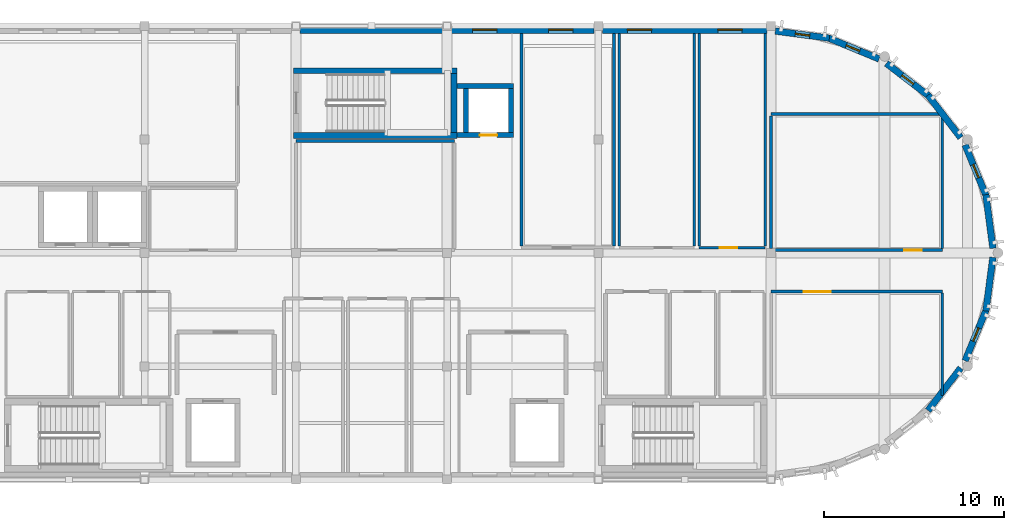
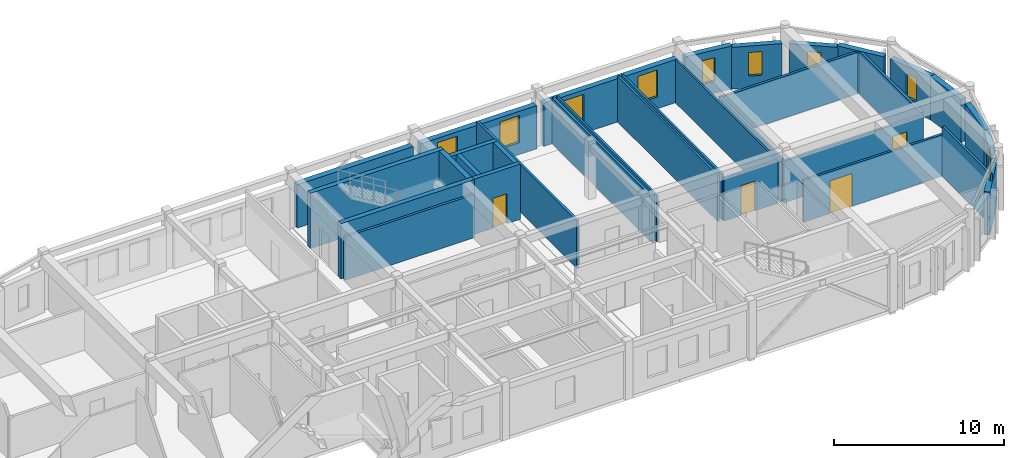
# One storey, part 6 of 11: 33 walls, 9 windows, 4 doors, 13 openings.
"""IFC4 building model written with IfcOpenShell, lengths in metres."""

from ifc_helpers import new_model, si_unit, direction, frame, frame_2d, origin, place, context, subcontext, project, spatial, rectangle, extrude, material, layer, layer_set, type_object, element, fill, save


model = new_model("IFC4")

# Units and contexts
model_context = context("Model", 3, precision=1e-05, world=origin(), true_north=direction((0.0, 1.0)))
body_context = subcontext(model_context, "Body", "Model", "MODEL_VIEW")
ifc_project = project(units=[si_unit("LENGTHUNIT", "METRE"), si_unit("AREAUNIT", "SQUARE_METRE"), si_unit("VOLUMEUNIT", "CUBIC_METRE"), si_unit("PLANEANGLEUNIT", "RADIAN"), si_unit("MASSUNIT", "GRAM", prefix="KILO")], contexts=[model_context])

# Site, building, storey
site_placement = place(None, origin())
site = spatial("IfcSite", under=ifc_project, at=site_placement, CompositionType="ELEMENT")
building_placement = place(site_placement, origin())
building = spatial("IfcBuilding", under=site, at=building_placement, Name="Tarnavel Promenade Courthouse", CompositionType="ELEMENT")
storey_placement = place(building_placement, frame((0.0, 0.0, 31.199951171875)))
storey = spatial("IfcBuildingStorey", under=building, at=storey_placement, Name="L08", CompositionType="ELEMENT", Elevation=31.199951171875)

# Walls
ifc_material_1 = material(Name="Acoustic Insulated Gypsum Stud Partition", Category="gypsum")
ifc_layer_1 = layer(ifc_material_1, 0.1650390625)
ifc_layer_set_1 = layer_set([ifc_layer_1], Name="Acoustic Insulated Gypsum Stud Partition")
wall_type_1 = type_object("IfcWallType", Name="Acoustic Insulated Gypsum Stud Partition WL-CHM-165 (165 mm)", PredefinedType="PARTITIONING", material=ifc_layer_set_1)
wall_1_placement = place(storey_placement, frame((75.60009765625, 98.0, 0.0), z_axis=(0.0, 0.0, 1.0), x_axis=(1.0, 0.0, 0.0)))
element("IfcWall", 1, at=wall_1_placement, inside=storey, type_object=wall_type_1, Name="L08 L08 Judicial Panel Deliberation Salon Partition 0951", PredefinedType="PARTITIONING", context=body_context, shape_type="SweptSolid", body=[
    extrude(rectangle(XDim=8.7998046875, YDim=0.1650390625, at=frame_2d((4.39990234375, 0.0))), origin(), (0.0, 0.0, 1.0), 3.110107421875),
])
wall_2_placement = place(storey_placement, frame((88.139892578125, 92.1826171875, 0.0), z_axis=(0.0, 0.0, 1.0), x_axis=(0.0, 1.0, 0.0)))
element("IfcWall", 2, at=wall_2_placement, inside=storey, type_object=wall_type_1, Name="L08 Deputy Chief Justice's Chambers Partition 0956", PredefinedType="PARTITIONING", context=body_context, shape_type="SweptSolid", body=[
    extrude(rectangle(XDim=11.8134765625, YDim=0.1650390625, at=frame_2d((5.90673828125, 0.0))), origin(), (0.0, 0.0, 1.0), 3.41015625),
])
wall_3_placement = place(storey_placement, frame((93.281005859375, 103.99609375, 0.0), z_axis=(0.0, 0.0, 1.0), x_axis=(0.0, -1.0, 0.0)))
element("IfcWall", 3, at=wall_3_placement, inside=storey, type_object=wall_type_1, Name="L08 Deputy Chief Justice's Chambers Partition 0957", PredefinedType="PARTITIONING", context=body_context, shape_type="SweptSolid", body=[
    extrude(rectangle(XDim=11.8134765625, YDim=0.1650390625, at=frame_2d((5.90673828125, 0.0))), origin(), (0.0, 0.0, 1.0), 3.31005859375),
])
wall_4_placement = place(storey_placement, frame((102.0, 99.5, 0.0), z_axis=(0.0, 0.0, 1.0), x_axis=(1.0, 0.0, 0.0)))
element("IfcWall", 4, at=wall_4_placement, inside=storey, type_object=wall_type_1, Name="L08 L08 East Drum Rotunda Chambers North Partition 0981", PredefinedType="PARTITIONING", context=body_context, shape_type="SweptSolid", body=[
    extrude(rectangle(XDim=9.5, YDim=0.1650390625, at=frame_2d((4.75, 0.0))), origin(), (0.0, 0.0, 1.0), 3.010009765625),
])

# Wall, opening, door
wall_5_placement = place(storey_placement, frame((111.5, 91.949951171875, 0.0), z_axis=(0.0, 0.0, 1.0), x_axis=(-1.0, 0.0, 0.0)))
wall_5 = element("IfcWall", 5, at=wall_5_placement, inside=storey, type_object=wall_type_1, Name="L08 L08 East Drum Rotunda Chambers North Partition 0982", PredefinedType="PARTITIONING", context=body_context, shape_type="SweptSolid", body=[
    extrude(rectangle(XDim=9.5, YDim=0.1650390625, at=frame_2d((4.75, 0.0))), origin(), (0.0, 0.0, 1.0), 3.010009765625),
])
opening_1_placement = place(wall_5_placement, frame((1.132080078125, 0.0, 0.0)))
opening_1 = element("IfcOpeningElement", 6, at=opening_1_placement, cuts=wall_5, Name="Opening ID-04", PredefinedType="OPENING", context=body_context, shape_type="SweptSolid", body=[
    extrude(rectangle(XDim=0.97998046875, YDim=2.199951171875, at=frame_2d((0.489990234375, 1.10009765625))), frame((0.0, 0.092529296875, 0.0), z_axis=(0.0, -1.0, 0.0), x_axis=(1.0, 0.0, 0.0)), (0.0, 0.0, 1.0), 0.18505859375),
])
ifc_material_2 = material(Name="Solid Oak Judges Chambers Door")
door_type_1 = type_object("IfcDoorType", Name="Solid Oak Judges Chambers Door (DR-CHM-0980x2200)", OperationType="NOTDEFINED", PredefinedType="DOOR", material=ifc_material_2)
door_1_placement = place(opening_1_placement, origin())
door_1 = element("IfcDoor", 7, at=door_1_placement, inside=storey, type_object=door_type_1, Name="L08 L08 East Drum Rotunda Chambers North Door 0280", OperationType="SINGLE_SWING_RIGHT", OverallHeight=2.199951171875, OverallWidth=0.97998046875, PredefinedType="DOOR", context=body_context, shape_type="SweptSolid", body=[
    extrude(rectangle(XDim=0.97998046875, YDim=2.199951171875, at=frame_2d((0.489990234375, 1.10009765625))), frame((0.0, 0.02490234375, 0.0), z_axis=(0.0, -1.0, 0.0), x_axis=(1.0, 0.0, 0.0)), (0.0, 0.0, 1.0), 0.050048828125),
])
fill(opening_1, door_1)

# Walls
for number, where, z_axis, x_axis, name in (
    (8, (102.0, 92.04248046875, 0.0), (0.0, 0.0, 1.0), (0.0, 1.0, 0.0), "L08 L08 East Drum Rotunda Chambers North Partition 0983"),
    (9, (111.5, 99.407470703125, 0.0), (0.0, 0.0, 1.0), (0.0, -1.0, 0.0), "L08 L08 East Drum Rotunda Chambers North Partition 0984"),
):
    element("IfcWall", number, at=place(storey_placement, frame(where, z_axis=z_axis, x_axis=x_axis)), inside=storey, type_object=wall_type_1, Name=name, PredefinedType="PARTITIONING", context=body_context, shape_type="SweptSolid", body=[
        extrude(rectangle(XDim=7.364990234375, YDim=0.1650390625, at=frame_2d((3.6826171875, 0.0))), origin(), (0.0, 0.0, 1.0), 3.110107421875),
    ])

# Wall, opening, door
ifc_layer_2 = layer(ifc_material_1, 0.14990234375)
ifc_layer_set_2 = layer_set([ifc_layer_2], Name="Acoustic Insulated Gypsum Stud Partition")
wall_type_2 = type_object("IfcWallType", Name="Acoustic Insulated Gypsum Stud Partition WL-LIB-150 (150 mm)", PredefinedType="PARTITIONING", material=ifc_layer_set_2)
wall_6_placement = place(storey_placement, frame((102.0, 89.64990234375, 0.0), z_axis=(0.0, 0.0, 1.0), x_axis=(1.0, 0.0, 0.0)))
wall_6 = element("IfcWall", 10, at=wall_6_placement, inside=storey, type_object=wall_type_2, Name="L08 L08 East Drum Collegium Reference Room Partition 0985", PredefinedType="PARTITIONING", context=body_context, shape_type="SweptSolid", body=[
    extrude(rectangle(XDim=9.5, YDim=0.14990234375, at=frame_2d((4.75, 0.0))), origin(), (0.0, 0.0, 1.0), 3.010009765625),
])
opening_2_placement = place(wall_6_placement, frame((1.81005859375, 0.0, 0.0)))
opening_2 = element("IfcOpeningElement", 11, at=opening_2_placement, cuts=wall_6, Name="Opening ID-05", PredefinedType="OPENING", context=body_context, shape_type="SweptSolid", body=[
    extrude(rectangle(XDim=1.5, YDim=2.35009765625, at=frame_2d((0.75, 1.175048828125))), frame((0.0, 0.0849609375, 0.0), z_axis=(0.0, -1.0, 0.0), x_axis=(1.0, 0.0, 0.0)), (0.0, 0.0, 1.0), 0.169921875),
])
ifc_material_3 = material(Name="Glazed Oak Law Library Double Door")
door_type_2 = type_object("IfcDoorType", Name="Glazed Oak Law Library Double Door (DR-LIB-1500x2350)", OperationType="NOTDEFINED", PredefinedType="DOOR", material=ifc_material_3)
door_2_placement = place(opening_2_placement, origin())
door_2 = element("IfcDoor", 12, at=door_2_placement, inside=storey, type_object=door_type_2, Name="L08 L08 East Drum Collegium Reference Room Door 0281", OperationType="DOUBLE_DOOR_SINGLE_SWING", OverallHeight=2.35009765625, OverallWidth=1.5, PredefinedType="DOOR", context=body_context, shape_type="SweptSolid", body=[
    extrude(rectangle(XDim=1.5, YDim=2.35009765625, at=frame_2d((0.75, 1.175048828125))), frame((0.0, 0.02490234375, 0.0), z_axis=(0.0, -1.0, 0.0), x_axis=(1.0, 0.0, 0.0)), (0.0, 0.0, 1.0), 0.050048828125),
])
fill(opening_2, door_2)

# Walls
wall_7_placement = place(storey_placement, frame((111.5, 89.56494140625, 0.0), z_axis=(0.0, 0.0, 1.0), x_axis=(0.0, -1.0, 0.0)))
element("IfcWall", 13, at=wall_7_placement, inside=storey, type_object=wall_type_2, Name="L08 L08 East Drum Collegium Reference Room Partition 0988", PredefinedType="PARTITIONING", context=body_context, shape_type="SweptSolid", body=[
    extrude(rectangle(XDim=5.679931640625, YDim=0.14990234375, at=frame_2d((2.83984375, 0.0))), origin(), (0.0, 0.0, 1.0), 3.610107421875),
])
ifc_material_4 = material(Name="Concrete C40/50", Category="concrete")
ifc_layer_3 = layer(ifc_material_4, 0.280029296875)
ifc_layer_set_3 = layer_set([ifc_layer_3], Name="Concrete C40/50")
wall_type_3 = type_object("IfcWallType", Name="Concrete C40/50 WL-SHR-280 (280 mm)", PredefinedType="SHEAR", material=ifc_layer_set_3)
wall_8_placement = place(storey_placement, frame((84.5400390625, 101.06005859375, 0.0), z_axis=(0.0, 0.0, 1.0), x_axis=(1.0, 0.0, 0.0)))
element("IfcWall", 14, at=wall_8_placement, inside=storey, type_object=wall_type_3, Name="L08 L-JUD1 Lift Shaft North Wall", PredefinedType="SHEAR", context=body_context, shape_type="SweptSolid", body=[
    extrude(rectangle(XDim=3.159912109375, YDim=0.280029296875, at=frame_2d((1.580078125, 0.0))), origin(), (0.0, 0.0, 1.0), 3.97998046875),
])

# Wall, opening, door
wall_9_placement = place(storey_placement, frame((87.699951171875, 98.340087890625, 0.0), z_axis=(0.0, 0.0, 1.0), x_axis=(-1.0, 0.0, 0.0)))
wall_9 = element("IfcWall", 15, at=wall_9_placement, inside=storey, type_object=wall_type_3, Name="L08 L-JUD1 Lift Shaft South Wall", PredefinedType="SHEAR", context=body_context, shape_type="SweptSolid", body=[
    extrude(rectangle(XDim=3.159912109375, YDim=0.280029296875, at=frame_2d((1.580078125, 0.0))), origin(), (0.0, 0.0, 1.0), 3.97998046875),
])
opening_3_placement = place(wall_9_placement, frame((0.925048828125, 0.0, 0.0)))
opening_3 = element("IfcOpeningElement", 16, at=opening_3_placement, cuts=wall_9, Name="Opening LD-03", PredefinedType="OPENING", context=body_context, shape_type="SweptSolid", body=[
    extrude(rectangle(XDim=0.949951171875, YDim=2.14990234375, at=frame_2d((0.47509765625, 1.074951171875))), frame((0.0, 0.14990234375, 0.0), z_axis=(0.0, -1.0, 0.0), x_axis=(1.0, 0.0, 0.0)), (0.0, 0.0, 1.0), 0.300048828125),
])
ifc_material_5 = material(Name="Stainless Steel Judicial Lift Landing Sliding Door", Category="steel")
door_type_3 = type_object("IfcDoorType", Name="Stainless Steel Judicial Lift Landing Sliding Door (LD-JUD-0950x2150)", OperationType="NOTDEFINED", PredefinedType="DOOR", material=ifc_material_5)
door_3_placement = place(opening_3_placement, origin())
door_3 = element("IfcDoor", 17, at=door_3_placement, inside=storey, type_object=door_type_3, Name="L08 L-JUD1 Lift Sliding Landing Door", OperationType="DOUBLE_DOOR_SLIDING", OverallHeight=2.14990234375, OverallWidth=0.949951171875, PredefinedType="DOOR", context=body_context, shape_type="SweptSolid", body=[
    extrude(rectangle(XDim=0.949951171875, YDim=2.14990234375, at=frame_2d((0.47509765625, 1.074951171875))), frame((0.0, 0.02490234375, 0.0), z_axis=(0.0, -1.0, 0.0), x_axis=(1.0, 0.0, 0.0)), (0.0, 0.0, 1.0), 0.050048828125),
])
fill(opening_3, door_3)

# Walls
for number, where, z_axis, x_axis, name in (
    (18, (85.0400390625, 98.47998046875, 0.0), (0.0, 0.0, 1.0), (0.0, 1.0, 0.0), "L08 L-JUD1 Lift Shaft West Wall"),
    (19, (87.56005859375, 100.919921875, 0.0), (0.0, 0.0, 1.0), (0.0, -1.0, 0.0), "L08 L-JUD1 Lift Shaft East Wall"),
):
    element("IfcWall", number, at=place(storey_placement, frame(where, z_axis=z_axis, x_axis=x_axis)), inside=storey, type_object=wall_type_3, Name=name, PredefinedType="SHEAR", context=body_context, shape_type="SweptSolid", body=[
        extrude(rectangle(XDim=2.43994140625, YDim=0.280029296875, at=frame_2d((1.219970703125, 0.0))), origin(), (0.0, 0.0, 1.0), 3.97998046875),
    ])
ifc_layer_4 = layer(ifc_material_4, 0.320068359375)
ifc_layer_set_4 = layer_set([ifc_layer_4], Name="Concrete C40/50")
wall_type_4 = type_object("IfcWallType", Name="Concrete C40/50 WL-SHR-320 (320 mm)", PredefinedType="SHEAR", material=ifc_layer_set_4)
for number, where, z_axis, x_axis, name in (
    (20, (75.4599609375, 101.919921875, 0.0), (0.0, 0.0, 1.0), (1.0, 0.0, 0.0), "L08 ST-03 Shear Core North Wall"),
    (21, (84.5400390625, 98.320068359375, 0.0), (0.0, 0.0, 1.0), (-1.0, 0.0, 0.0), "L08 ST-03 Shear Core South Wall"),
):
    element("IfcWall", number, at=place(storey_placement, frame(where, z_axis=z_axis, x_axis=x_axis)), inside=storey, type_object=wall_type_4, Name=name, PredefinedType="SHEAR", context=body_context, shape_type="SweptSolid", body=[
        extrude(rectangle(XDim=9.080078125, YDim=0.320068359375, at=frame_2d((4.5400390625, 0.0))), origin(), (0.0, 0.0, 1.0), 3.97998046875),
    ])
wall_10_placement = place(storey_placement, frame((84.3798828125, 101.760009765625, 0.0), z_axis=(0.0, 0.0, 1.0), x_axis=(0.0, -1.0, 0.0)))
element("IfcWall", 22, at=wall_10_placement, inside=storey, type_object=wall_type_4, Name="L08 ST-03 Shear Core East Wall", PredefinedType="SHEAR", context=body_context, shape_type="SweptSolid", body=[
    extrude(rectangle(XDim=3.280029296875, YDim=0.320068359375, at=frame_2d((1.64013671875, 0.0))), origin(), (0.0, 0.0, 1.0), 3.97998046875),
])
ifc_material_6 = material(Name="Cream Brick Insulated Cavity Facade Assembly", Category="masonry")
ifc_layer_5 = layer(ifc_material_6, 0.3798828125)
ifc_layer_set_5 = layer_set([ifc_layer_5], Name="Cream Brick Insulated Cavity Facade Assembly")
wall_type_5 = type_object("IfcWallType", Name="Cream Brick Insulated Cavity Facade Assembly WL-EXT-380 (380 mm)", PredefinedType="STANDARD", material=ifc_layer_set_5)
wall_11_placement = place(storey_placement, frame((75.842041015625, 104.179931640625, 0.0), z_axis=(0.0, 0.0, 1.0), x_axis=(1.0, 0.0, 0.0)))
element("IfcWall", 23, at=wall_11_placement, inside=storey, type_object=wall_type_5, Name="L08 Bar North Limestone Facade 0206", PredefinedType="STANDARD", context=body_context, shape_type="SweptSolid", body=[
    extrude(rectangle(XDim=7.916015625, YDim=0.3798828125, at=frame_2d((3.9580078125, 0.0))), origin(), (0.0, 0.0, 1.0), 3.110107421875),
])

# Wall, openings, windows
wall_12_placement = place(storey_placement, frame((84.241943359375, 104.179931640625, 0.0), z_axis=(0.0, 0.0, 1.0), x_axis=(1.0, 0.0, 0.0)))
wall_12 = element("IfcWall", 24, at=wall_12_placement, inside=storey, type_object=wall_type_5, Name="L08 Bar North Limestone Facade 0207", PredefinedType="STANDARD", context=body_context, shape_type="SweptSolid", body=[
    extrude(rectangle(XDim=7.916015625, YDim=0.3798828125, at=frame_2d((3.9580078125, 0.0))), origin(), (0.0, 0.0, 1.0), 3.110107421875),
])
opening_4_placement = place(wall_12_placement, frame((1.169677734375, 0.0, 0.85009765625)))
opening_4 = element("IfcOpeningElement", 25, at=opening_4_placement, cuts=wall_12, Name="Opening W-04", PredefinedType="OPENING", context=body_context, shape_type="SweptSolid", body=[
    extrude(rectangle(XDim=1.35009765625, YDim=1.949951171875, at=frame_2d((0.675048828125, 0.97509765625))), frame((0.0, 0.199951171875, 0.0), z_axis=(0.0, -1.0, 0.0), x_axis=(1.0, 0.0, 0.0)), (0.0, 0.0, 1.0), 0.39990234375),
])
opening_5_placement = place(wall_12_placement, frame((5.396240234375, 0.0, 0.85009765625)))
opening_5 = element("IfcOpeningElement", 26, at=opening_5_placement, cuts=wall_12, Name="Opening W-04", PredefinedType="OPENING", context=body_context, shape_type="SweptSolid", body=[
    extrude(rectangle(XDim=1.35009765625, YDim=1.949951171875, at=frame_2d((0.675048828125, 0.97509765625))), frame((0.0, 0.199951171875, 0.0), z_axis=(0.0, -1.0, 0.0), x_axis=(1.0, 0.0, 0.0)), (0.0, 0.0, 1.0), 0.39990234375),
])
ifc_material_7 = material(Name="Triple Low-E Glazed Bronze-Clad Window Assembly")
window_type_1 = type_object("IfcWindowType", Name="Triple-Glazed Bronze-Clad Timber-Aluminium WIN-CHM-1350x1950", PartitioningType="SINGLE_PANEL", PredefinedType="WINDOW", material=ifc_material_7)
window_1_placement = place(opening_4_placement, origin())
window_1 = element("IfcWindow", 27, at=window_1_placement, inside=storey, type_object=window_type_1, Name="L08 Exterior Window 0172", OverallHeight=1.949951171875, OverallWidth=1.35009765625, PartitioningType="SINGLE_PANEL", PredefinedType="WINDOW", context=body_context, shape_type="SweptSolid", body=[
    extrude(rectangle(XDim=1.35009765625, YDim=1.949951171875, at=frame_2d((0.675048828125, 0.97509765625))), frame((0.0, 0.030029296875, 0.0), z_axis=(0.0, -1.0, 0.0), x_axis=(1.0, 0.0, 0.0)), (0.0, 0.0, 1.0), 0.06005859375),
])
fill(opening_4, window_1)
window_2_placement = place(opening_5_placement, origin())
window_2 = element("IfcWindow", 28, at=window_2_placement, inside=storey, type_object=window_type_1, Name="L08 Exterior Window 0173", OverallHeight=1.949951171875, OverallWidth=1.35009765625, PartitioningType="SINGLE_PANEL", PredefinedType="WINDOW", context=body_context, shape_type="SweptSolid", body=[
    extrude(rectangle(XDim=1.35009765625, YDim=1.949951171875, at=frame_2d((0.675048828125, 0.97509765625))), frame((0.0, 0.030029296875, 0.0), z_axis=(0.0, -1.0, 0.0), x_axis=(1.0, 0.0, 0.0)), (0.0, 0.0, 1.0), 0.06005859375),
])
fill(opening_5, window_2)

wall_13_placement = place(storey_placement, frame((92.64208984375, 104.179931640625, 0.0), z_axis=(0.0, 0.0, 1.0), x_axis=(1.0, 0.0, 0.0)))
wall_13 = element("IfcWall", 29, at=wall_13_placement, inside=storey, type_object=wall_type_5, Name="L08 Bar North Limestone Facade 0208", PredefinedType="STANDARD", context=body_context, shape_type="SweptSolid", body=[
    extrude(rectangle(XDim=9.115966796875, YDim=0.3798828125, at=frame_2d((4.55810546875, 0.0))), origin(), (0.0, 0.0, 1.0), 3.110107421875),
])
opening_6_placement = place(wall_13_placement, frame((1.36962890625, 0.0, 0.85009765625)))
opening_6 = element("IfcOpeningElement", 30, at=opening_6_placement, cuts=wall_13, Name="Opening W-04", PredefinedType="OPENING", context=body_context, shape_type="SweptSolid", body=[
    extrude(rectangle(XDim=1.35009765625, YDim=1.949951171875, at=frame_2d((0.675048828125, 0.97509765625))), frame((0.0, 0.199951171875, 0.0), z_axis=(0.0, -1.0, 0.0), x_axis=(1.0, 0.0, 0.0)), (0.0, 0.0, 1.0), 0.39990234375),
])
opening_7_placement = place(wall_13_placement, frame((6.396240234375, 0.0, 0.85009765625)))
opening_7 = element("IfcOpeningElement", 31, at=opening_7_placement, cuts=wall_13, Name="Opening W-04", PredefinedType="OPENING", context=body_context, shape_type="SweptSolid", body=[
    extrude(rectangle(XDim=1.35009765625, YDim=1.949951171875, at=frame_2d((0.675048828125, 0.97509765625))), frame((0.0, 0.199951171875, 0.0), z_axis=(0.0, -1.0, 0.0), x_axis=(1.0, 0.0, 0.0)), (0.0, 0.0, 1.0), 0.39990234375),
])
window_3_placement = place(opening_6_placement, origin())
window_3 = element("IfcWindow", 32, at=window_3_placement, inside=storey, type_object=window_type_1, Name="L08 Exterior Window 0174", OverallHeight=1.949951171875, OverallWidth=1.35009765625, PartitioningType="SINGLE_PANEL", PredefinedType="WINDOW", context=body_context, shape_type="SweptSolid", body=[
    extrude(rectangle(XDim=1.35009765625, YDim=1.949951171875, at=frame_2d((0.675048828125, 0.97509765625))), frame((0.0, 0.030029296875, 0.0), z_axis=(0.0, -1.0, 0.0), x_axis=(1.0, 0.0, 0.0)), (0.0, 0.0, 1.0), 0.06005859375),
])
fill(opening_6, window_3)
window_4_placement = place(opening_7_placement, origin())
window_4 = element("IfcWindow", 33, at=window_4_placement, inside=storey, type_object=window_type_1, Name="L08 Exterior Window 0175", OverallHeight=1.949951171875, OverallWidth=1.35009765625, PartitioningType="SINGLE_PANEL", PredefinedType="WINDOW", context=body_context, shape_type="SweptSolid", body=[
    extrude(rectangle(XDim=1.35009765625, YDim=1.949951171875, at=frame_2d((0.675048828125, 0.97509765625))), frame((0.0, 0.030029296875, 0.0), z_axis=(0.0, -1.0, 0.0), x_axis=(1.0, 0.0, 0.0)), (0.0, 0.0, 1.0), 0.06005859375),
])
fill(opening_7, window_4)

# Walls
ifc_material_8 = material(Name="Metal-Stud Acoustic Gypsum Partition", Category="gypsum")
ifc_layer_6 = layer(ifc_material_8, 0.135009765625)
ifc_layer_set_6 = layer_set([ifc_layer_6], Name="Metal-Stud Acoustic Gypsum Partition")
wall_type_6 = type_object("IfcWallType", Name="Metal-Stud Acoustic Gypsum Partition WL-OFF-135 (135 mm)", PredefinedType="PARTITIONING", material=ifc_layer_set_6)
for number, where, z_axis, x_axis, name in (
    (34, (93.56103515625, 92.16748046875, 0.0), (0.0, 0.0, 1.0), (0.0, 1.0, 0.0), "L08 Executive Judicial Secretariat Partition 0959"),
    (35, (97.717041015625, 103.99609375, 0.0), (0.0, 0.0, 1.0), (0.0, -1.0, 0.0), "L08 Executive Judicial Secretariat Partition 0960"),
):
    element("IfcWall", number, at=place(storey_placement, frame(where, z_axis=z_axis, x_axis=x_axis)), inside=storey, type_object=wall_type_6, Name=name, PredefinedType="PARTITIONING", context=body_context, shape_type="SweptSolid", body=[
        extrude(rectangle(XDim=11.82861328125, YDim=0.135009765625, at=frame_2d((5.914306640625, 0.0))), origin(), (0.0, 0.0, 1.0), 3.31005859375),
    ])

# Wall, opening, door
wall_14_placement = place(storey_placement, frame((101.659912109375, 92.090087890625, 0.0), z_axis=(0.0, 0.0, 1.0), x_axis=(-1.0, 0.0, 0.0)))
wall_14 = element("IfcWall", 36, at=wall_14_placement, inside=storey, type_object=wall_type_6, Name="L08 Protocol Reception Salon Partition 0961", PredefinedType="PARTITIONING", context=body_context, shape_type="SweptSolid", body=[
    extrude(rectangle(XDim=3.662841796875, YDim=0.135009765625, at=frame_2d((1.83154296875, 0.0))), origin(), (0.0, 0.0, 1.0), 3.110107421875),
])
opening_8_placement = place(wall_14_placement, frame((1.557861328125, 0.0, 0.0)))
opening_8 = element("IfcOpeningElement", 37, at=opening_8_placement, cuts=wall_14, Name="Opening ID-06", PredefinedType="OPENING", context=body_context, shape_type="SweptSolid", body=[
    extrude(rectangle(XDim=0.949951171875, YDim=2.14990234375, at=frame_2d((0.47509765625, 1.074951171875))), frame((0.0, 0.077392578125, 0.0), z_axis=(0.0, -1.0, 0.0), x_axis=(1.0, 0.0, 0.0)), (0.0, 0.0, 1.0), 0.155029296875),
])
ifc_material_9 = material(Name="Acoustic Timber Veneer Office Door", Category="wood")
door_type_4 = type_object("IfcDoorType", Name="Acoustic Timber Veneer Office Door (DR-OFF-0950x2150)", OperationType="NOTDEFINED", PredefinedType="DOOR", material=ifc_material_9)
door_4_placement = place(opening_8_placement, origin())
door_4 = element("IfcDoor", 38, at=door_4_placement, inside=storey, type_object=door_type_4, Name="L08 Protocol Reception Salon Door 0274", OperationType="SINGLE_SWING_RIGHT", OverallHeight=2.14990234375, OverallWidth=0.949951171875, PredefinedType="DOOR", context=body_context, shape_type="SweptSolid", body=[
    extrude(rectangle(XDim=0.949951171875, YDim=2.14990234375, at=frame_2d((0.47509765625, 1.074951171875))), frame((0.0, 0.02490234375, 0.0), z_axis=(0.0, -1.0, 0.0), x_axis=(1.0, 0.0, 0.0)), (0.0, 0.0, 1.0), 0.050048828125),
])
fill(opening_8, door_4)

# Walls
wall_15_placement = place(storey_placement, frame((97.9970703125, 92.16748046875, 0.0), z_axis=(0.0, 0.0, 1.0), x_axis=(0.0, 1.0, 0.0)))
element("IfcWall", 39, at=wall_15_placement, inside=storey, type_object=wall_type_6, Name="L08 Protocol Reception Salon Partition 0962", PredefinedType="PARTITIONING", context=body_context, shape_type="SweptSolid", body=[
    extrude(rectangle(XDim=11.82861328125, YDim=0.135009765625, at=frame_2d((5.914306640625, 0.0))), origin(), (0.0, 0.0, 1.0), 3.31005859375),
])
wall_16_placement = place(storey_placement, frame((101.659912109375, 103.99609375, 0.0), z_axis=(0.0, 0.0, 1.0), x_axis=(0.0, -1.0, 0.0)))
element("IfcWall", 40, at=wall_16_placement, inside=storey, type_object=wall_type_6, Name="L08 Protocol Reception Salon Partition 0963", PredefinedType="PARTITIONING", context=body_context, shape_type="SweptSolid", body=[
    extrude(rectangle(XDim=11.82861328125, YDim=0.135009765625, at=frame_2d((5.914306640625, 0.0))), origin(), (0.0, 0.0, 1.0), 3.110107421875),
])
ifc_material_10 = material(Name="Patinated Copper-Bronze Insulated Drum Wall Assembly", Category="masonry")
ifc_layer_7 = layer(ifc_material_10, 0.364990234375)
ifc_layer_set_7 = layer_set([ifc_layer_7], Name="Patinated Copper-Bronze Insulated Drum Wall Assembly")
wall_type_7 = type_object("IfcWallType", Name="Patinated Copper-Bronze Insulated Drum Wall Assembly WL-DRUM-365 (365 mm)", PredefinedType="ELEMENTEDWALL", material=ifc_layer_set_7)
wall_17_placement = place(storey_placement, frame((110.711181640625, 83.04248046875, 0.0), z_axis=(0.0, 0.0, 1.0), x_axis=(0.608710660898, 0.793392293452, 0.0)))
element("IfcWall", 41, at=wall_17_placement, inside=storey, type_object=wall_type_7, Name="L08 E Copper Drum Chord Wall 04 0229", PredefinedType="ELEMENTEDWALL", context=body_context, shape_type="SweptSolid", body=[
    extrude(rectangle(XDim=2.974365234375, YDim=0.364990234375, at=frame_2d((1.4873046875, 0.0))), origin(), (0.0, 0.0, 1.0), 3.110107421875),
])

# Wall, opening, window
wall_18_placement = place(storey_placement, frame((112.767822265625, 85.805419921875, 0.0), z_axis=(0.0, 0.0, 1.0), x_axis=(0.382689777405, 0.923876904284, 0.0)))
wall_18 = element("IfcWall", 42, at=wall_18_placement, inside=storey, type_object=wall_type_7, Name="L08 E Copper Drum Chord Wall 05 0230", PredefinedType="ELEMENTEDWALL", context=body_context, shape_type="SweptSolid", body=[
    extrude(rectangle(XDim=3.062255859375, YDim=0.364990234375, at=frame_2d((1.53125, 0.0))), origin(), (0.0, 0.0, 1.0), 3.110107421875),
])
opening_9_placement = place(wall_18_placement, frame((1.175048828125, 0.0, 0.85009765625)))
opening_9 = element("IfcOpeningElement", 43, at=opening_9_placement, cuts=wall_18, Name="Opening W-09", PredefinedType="OPENING", context=body_context, shape_type="SweptSolid", body=[
    extrude(rectangle(XDim=0.800048828125, YDim=1.699951171875, at=frame_2d((0.39990234375, 0.85009765625))), frame((0.0, 0.1923828125, 0.0), z_axis=(0.0, -1.0, 0.0), x_axis=(1.0, 0.0, 0.0)), (0.0, 0.0, 1.0), 0.385009765625),
])
window_type_2 = type_object("IfcWindowType", Name="Triple-Glazed Bronze-Clad Timber-Aluminium WIN-DRM-0800x1700", PartitioningType="SINGLE_PANEL", PredefinedType="WINDOW", material=ifc_material_7)
window_5_placement = place(opening_9_placement, origin())
window_5 = element("IfcWindow", 44, at=window_5_placement, inside=storey, type_object=window_type_2, Name="L08 Exterior Window 0194", OverallHeight=1.699951171875, OverallWidth=0.800048828125, PartitioningType="SINGLE_PANEL", PredefinedType="WINDOW", context=body_context, shape_type="SweptSolid", body=[
    extrude(rectangle(XDim=0.800048828125, YDim=1.699951171875, at=frame_2d((0.39990234375, 0.85009765625))), frame((0.0, 0.030029296875, 0.0), z_axis=(0.0, -1.0, 0.0), x_axis=(1.0, 0.0, 0.0)), (0.0, 0.0, 1.0), 0.06005859375),
])
fill(opening_9, window_5)

# Walls
for number, where, z_axis, x_axis, name in (
    (45, (113.9228515625, 88.571533203125, 0.0), (0.0, 0.0, 1.0), (0.130517619253, 0.991445989989, 0.0), "L08 E Copper Drum Chord Wall 06 0231"),
    (46, (114.314697265625, 92.052001953125, 0.0), (0.0, 0.0, 1.0), (-0.130517619253, 0.991445989989, 0.0), "L08 E Copper Drum Chord Wall 07 0232"),
):
    element("IfcWall", number, at=place(storey_placement, frame(where, z_axis=z_axis, x_axis=x_axis)), inside=storey, type_object=wall_type_7, Name=name, PredefinedType="ELEMENTEDWALL", context=body_context, shape_type="SweptSolid", body=[
        extrude(rectangle(XDim=3.002197265625, YDim=0.364990234375, at=frame_2d((1.5009765625, 0.0))), origin(), (0.0, 0.0, 1.0), 3.110107421875),
    ])

# Wall, opening, window
wall_19_placement = place(storey_placement, frame((113.939697265625, 94.965576171875, 0.0), z_axis=(0.0, 0.0, 1.0), x_axis=(-0.382689777405, 0.923876904284, 0.0)))
wall_19 = element("IfcWall", 47, at=wall_19_placement, inside=storey, type_object=wall_type_7, Name="L08 E Copper Drum Chord Wall 08 0233", PredefinedType="ELEMENTEDWALL", context=body_context, shape_type="SweptSolid", body=[
    extrude(rectangle(XDim=3.062255859375, YDim=0.364990234375, at=frame_2d((1.53125, 0.0))), origin(), (0.0, 0.0, 1.0), 3.110107421875),
])
opening_10_placement = place(wall_19_placement, frame((1.087158203125, 0.0, 0.85009765625)))
opening_10 = element("IfcOpeningElement", 48, at=opening_10_placement, cuts=wall_19, Name="Opening W-09", PredefinedType="OPENING", context=body_context, shape_type="SweptSolid", body=[
    extrude(rectangle(XDim=0.800048828125, YDim=1.699951171875, at=frame_2d((0.39990234375, 0.85009765625))), frame((0.0, 0.1923828125, 0.0), z_axis=(0.0, -1.0, 0.0), x_axis=(1.0, 0.0, 0.0)), (0.0, 0.0, 1.0), 0.385009765625),
])
window_6_placement = place(opening_10_placement, origin())
window_6 = element("IfcWindow", 49, at=window_6_placement, inside=storey, type_object=window_type_2, Name="L08 Exterior Window 0195", OverallHeight=1.699951171875, OverallWidth=0.800048828125, PartitioningType="SINGLE_PANEL", PredefinedType="WINDOW", context=body_context, shape_type="SweptSolid", body=[
    extrude(rectangle(XDim=0.800048828125, YDim=1.699951171875, at=frame_2d((0.39990234375, 0.85009765625))), frame((0.0, 0.030029296875, 0.0), z_axis=(0.0, -1.0, 0.0), x_axis=(1.0, 0.0, 0.0)), (0.0, 0.0, 1.0), 0.06005859375),
])
fill(opening_10, window_6)

# Wall
wall_20_placement = place(storey_placement, frame((112.521728515625, 98.19775390625, 0.0), z_axis=(0.0, 0.0, 1.0), x_axis=(-0.608750303306, 0.793361877219, 0.0)))
element("IfcWall", 50, at=wall_20_placement, inside=storey, type_object=wall_type_7, Name="L08 E Copper Drum Chord Wall 09 0234", PredefinedType="ELEMENTEDWALL", context=body_context, shape_type="SweptSolid", body=[
    extrude(rectangle(XDim=2.97412109375, YDim=0.364990234375, at=frame_2d((1.487060546875, 0.0))), origin(), (0.0, 0.0, 1.0), 3.110107421875),
])

# Wall, opening, window
wall_21_placement = place(storey_placement, frame((110.75732421875, 100.51123046875, 0.0), z_axis=(0.0, 0.0, 1.0), x_axis=(-0.793361877219, 0.608750303306, 0.0)))
wall_21 = element("IfcWall", 51, at=wall_21_placement, inside=storey, type_object=wall_type_7, Name="L08 E Copper Drum Chord Wall 10 0235", PredefinedType="ELEMENTEDWALL", context=body_context, shape_type="SweptSolid", body=[
    extrude(rectangle(XDim=2.97412109375, YDim=0.364990234375, at=frame_2d((1.487060546875, 0.0))), origin(), (0.0, 0.0, 1.0), 3.010009765625),
])
opening_11_placement = place(wall_21_placement, frame((1.087158203125, 0.0, 0.85009765625)))
opening_11 = element("IfcOpeningElement", 52, at=opening_11_placement, cuts=wall_21, Name="Opening W-09", PredefinedType="OPENING", context=body_context, shape_type="SweptSolid", body=[
    extrude(rectangle(XDim=0.800048828125, YDim=1.699951171875, at=frame_2d((0.39990234375, 0.85009765625))), frame((0.0, 0.1923828125, 0.0), z_axis=(0.0, -1.0, 0.0), x_axis=(1.0, 0.0, 0.0)), (0.0, 0.0, 1.0), 0.385009765625),
])
window_7_placement = place(opening_11_placement, origin())
window_7 = element("IfcWindow", 53, at=window_7_placement, inside=storey, type_object=window_type_2, Name="L08 Exterior Window 0196", OverallHeight=1.699951171875, OverallWidth=0.800048828125, PartitioningType="SINGLE_PANEL", PredefinedType="WINDOW", context=body_context, shape_type="SweptSolid", body=[
    extrude(rectangle(XDim=0.800048828125, YDim=1.699951171875, at=frame_2d((0.39990234375, 0.85009765625))), frame((0.0, 0.030029296875, 0.0), z_axis=(0.0, -1.0, 0.0), x_axis=(1.0, 0.0, 0.0)), (0.0, 0.0, 1.0), 0.06005859375),
])
fill(opening_11, window_7)

wall_22_placement = place(storey_placement, frame((107.99462890625, 102.56787109375, 0.0), z_axis=(0.0, 0.0, 1.0), x_axis=(-0.923876904284, 0.382689777405, 0.0)))
wall_22 = element("IfcWall", 54, at=wall_22_placement, inside=storey, type_object=wall_type_7, Name="L08 E Copper Drum Chord Wall 11 0236", PredefinedType="ELEMENTEDWALL", context=body_context, shape_type="SweptSolid", body=[
    extrude(rectangle(XDim=3.062255859375, YDim=0.364990234375, at=frame_2d((1.53125, 0.0))), origin(), (0.0, 0.0, 1.0), 3.010009765625),
])
opening_12_placement = place(wall_22_placement, frame((1.175048828125, 0.0, 0.85009765625)))
opening_12 = element("IfcOpeningElement", 55, at=opening_12_placement, cuts=wall_22, Name="Opening W-09", PredefinedType="OPENING", context=body_context, shape_type="SweptSolid", body=[
    extrude(rectangle(XDim=0.800048828125, YDim=1.699951171875, at=frame_2d((0.39990234375, 0.85009765625))), frame((0.0, 0.1923828125, 0.0), z_axis=(0.0, -1.0, 0.0), x_axis=(1.0, 0.0, 0.0)), (0.0, 0.0, 1.0), 0.385009765625),
])
window_8_placement = place(opening_12_placement, origin())
window_8 = element("IfcWindow", 56, at=window_8_placement, inside=storey, type_object=window_type_2, Name="L08 Exterior Window 0197", OverallHeight=1.699951171875, OverallWidth=0.800048828125, PartitioningType="SINGLE_PANEL", PredefinedType="WINDOW", context=body_context, shape_type="SweptSolid", body=[
    extrude(rectangle(XDim=0.800048828125, YDim=1.699951171875, at=frame_2d((0.39990234375, 0.85009765625))), frame((0.0, 0.030029296875, 0.0), z_axis=(0.0, -1.0, 0.0), x_axis=(1.0, 0.0, 0.0)), (0.0, 0.0, 1.0), 0.06005859375),
])
fill(opening_12, window_8)

wall_23_placement = place(storey_placement, frame((105.228515625, 103.722900390625, 0.0), z_axis=(0.0, 0.0, 1.0), x_axis=(-0.991450452257, 0.130483718216, 0.0)))
wall_23 = element("IfcWall", 57, at=wall_23_placement, inside=storey, type_object=wall_type_7, Name="L08 E Copper Drum Chord Wall 12 0237", PredefinedType="ELEMENTEDWALL", context=body_context, shape_type="SweptSolid", body=[
    extrude(rectangle(XDim=3.02734375, YDim=0.364990234375, at=frame_2d((1.513671875, 0.0))), origin(), (0.0, 0.0, 1.0), 3.110107421875),
])
opening_13_placement = place(wall_23_placement, frame((1.099609375, 0.0, 0.85009765625)))
opening_13 = element("IfcOpeningElement", 58, at=opening_13_placement, cuts=wall_23, Name="Opening W-09", PredefinedType="OPENING", context=body_context, shape_type="SweptSolid", body=[
    extrude(rectangle(XDim=0.800048828125, YDim=1.699951171875, at=frame_2d((0.39990234375, 0.85009765625))), frame((0.0, 0.1923828125, 0.0), z_axis=(0.0, -1.0, 0.0), x_axis=(1.0, 0.0, 0.0)), (0.0, 0.0, 1.0), 0.385009765625),
])
window_9_placement = place(opening_13_placement, origin())
window_9 = element("IfcWindow", 59, at=window_9_placement, inside=storey, type_object=window_type_2, Name="L08 Exterior Window 0198", OverallHeight=1.699951171875, OverallWidth=0.800048828125, PartitioningType="SINGLE_PANEL", PredefinedType="WINDOW", context=body_context, shape_type="SweptSolid", body=[
    extrude(rectangle(XDim=0.800048828125, YDim=1.699951171875, at=frame_2d((0.39990234375, 0.85009765625))), frame((0.0, 0.030029296875, 0.0), z_axis=(0.0, -1.0, 0.0), x_axis=(1.0, 0.0, 0.0)), (0.0, 0.0, 1.0), 0.06005859375),
])
fill(opening_13, window_9)

save(model, "model.ifc")
